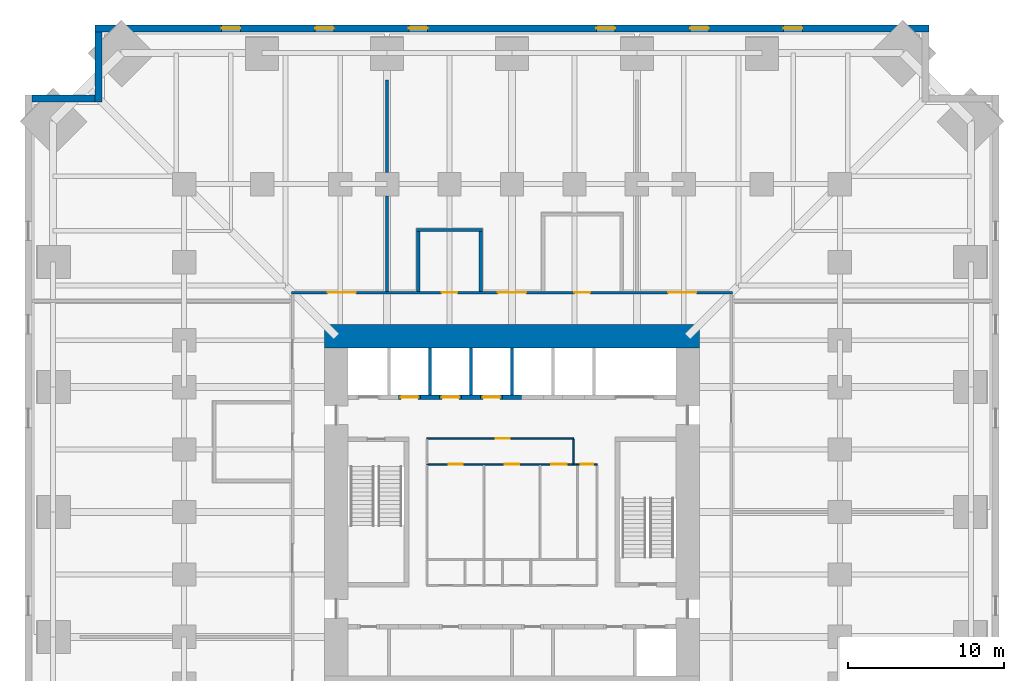
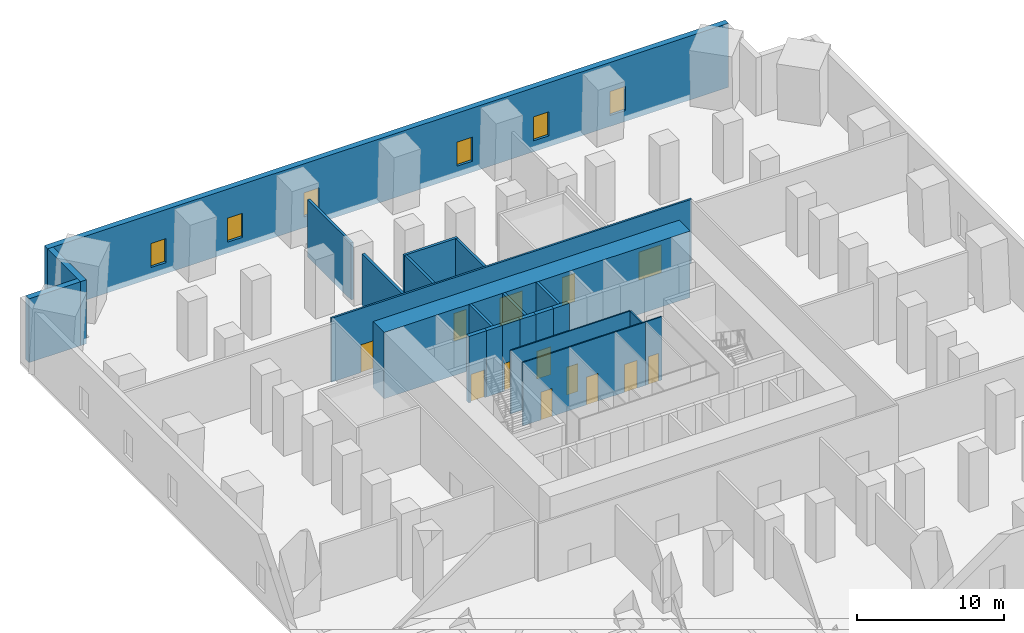
# One storey, part 6 of 8: 23 walls, 13 doors, 6 windows, 19 openings.
"""IFC4 building model written with IfcOpenShell, lengths in metres."""

from ifc_helpers import new_model, si_unit, direction, frame, frame_2d, origin, place, context, subcontext, project, spatial, rectangle, extrude, material, layer, layer_set, type_object, element, fill, save


model = new_model("IFC4")

# Units and contexts
model_context = context("Model", 3, precision=1e-05, world=origin(), true_north=direction((0.0, 1.0)))
body_context = subcontext(model_context, "Body", "Model", "MODEL_VIEW")
ifc_project = project(units=[si_unit("LENGTHUNIT", "METRE"), si_unit("AREAUNIT", "SQUARE_METRE"), si_unit("VOLUMEUNIT", "CUBIC_METRE"), si_unit("PLANEANGLEUNIT", "RADIAN"), si_unit("MASSUNIT", "GRAM", prefix="KILO")], contexts=[model_context])

# Site, building, storey
site_placement = place(None, origin())
site = spatial("IfcSite", under=ifc_project, at=site_placement, CompositionType="ELEMENT")
building_placement = place(site_placement, origin())
building = spatial("IfcBuilding", under=site, at=building_placement, Name="Peilmerk Tower", CompositionType="ELEMENT")
storey_placement = place(building_placement, frame((0.0, 0.0, 37.5)))
storey = spatial("IfcBuildingStorey", under=building, at=storey_placement, Name="L07", CompositionType="ELEMENT", Elevation=37.5)

# Wall, openings, windows
ifc_material_1 = material(Name="Precast concrete C45/55, board-marked finish", Category="concrete")
ifc_layer_1 = layer(ifc_material_1, 0.449951171875)
ifc_layer_set_1 = layer_set([ifc_layer_1], Name="Precast concrete C45/55, board-marked finish")
wall_type_1 = type_object("IfcWallType", Name="EW1 450 precast concrete facade wall, board-marked", PredefinedType="SOLIDWALL", material=ifc_layer_set_1)
wall_1_placement = place(storey_placement, frame((26.699951171875, 30.97509765625, 0.0), z_axis=(0.0, 0.0, 1.0), x_axis=(-1.0, 0.0, 0.0)))
wall_1 = element("IfcWall", 1, at=wall_1_placement, inside=storey, type_object=wall_type_1, Name="Facade wall N L07", PredefinedType="SOLIDWALL", context=body_context, shape_type="SweptSolid", body=[
    extrude(rectangle(XDim=53.39990234375, YDim=0.449951171875, at=frame_2d((26.699951171875, 0.0))), origin(), (0.0, 0.0, 1.0), 5.300048828125),
])
opening_1_placement = place(wall_1_placement, frame((8.10009765625, 0.0, 0.89990234375)))
opening_1 = element("IfcOpeningElement", 2, at=opening_1_placement, cuts=wall_1, Name="Opening W2", PredefinedType="OPENING", context=body_context, shape_type="SweptSolid", body=[
    extrude(rectangle(XDim=1.199951171875, YDim=2.0, at=frame_2d((0.60009765625, 1.0))), frame((0.0, 0.23486328125, 0.0), z_axis=(0.0, -1.0, 0.0), x_axis=(1.0, 0.0, 0.0)), (0.0, 0.0, 1.0), 0.469970703125),
])
opening_2_placement = place(wall_1_placement, frame((14.10009765625, 0.0, 0.89990234375)))
opening_2 = element("IfcOpeningElement", 3, at=opening_2_placement, cuts=wall_1, Name="Opening W2", PredefinedType="OPENING", context=body_context, shape_type="SweptSolid", body=[
    extrude(rectangle(XDim=1.199951171875, YDim=2.0, at=frame_2d((0.60009765625, 1.0))), frame((0.0, 0.23486328125, 0.0), z_axis=(0.0, -1.0, 0.0), x_axis=(1.0, 0.0, 0.0)), (0.0, 0.0, 1.0), 0.469970703125),
])
opening_3_placement = place(wall_1_placement, frame((20.10009765625, 0.0, 0.89990234375)))
opening_3 = element("IfcOpeningElement", 4, at=opening_3_placement, cuts=wall_1, Name="Opening W2", PredefinedType="OPENING", context=body_context, shape_type="SweptSolid", body=[
    extrude(rectangle(XDim=1.199951171875, YDim=2.0, at=frame_2d((0.60009765625, 1.0))), frame((0.0, 0.23486328125, 0.0), z_axis=(0.0, -1.0, 0.0), x_axis=(1.0, 0.0, 0.0)), (0.0, 0.0, 1.0), 0.469970703125),
])
opening_4_placement = place(wall_1_placement, frame((32.10009765625, 0.0, 0.89990234375)))
opening_4 = element("IfcOpeningElement", 5, at=opening_4_placement, cuts=wall_1, Name="Opening W2", PredefinedType="OPENING", context=body_context, shape_type="SweptSolid", body=[
    extrude(rectangle(XDim=1.199951171875, YDim=2.0, at=frame_2d((0.60009765625, 1.0))), frame((0.0, 0.23486328125, 0.0), z_axis=(0.0, -1.0, 0.0), x_axis=(1.0, 0.0, 0.0)), (0.0, 0.0, 1.0), 0.469970703125),
])
opening_5_placement = place(wall_1_placement, frame((38.10009765625, 0.0, 0.89990234375)))
opening_5 = element("IfcOpeningElement", 6, at=opening_5_placement, cuts=wall_1, Name="Opening W2", PredefinedType="OPENING", context=body_context, shape_type="SweptSolid", body=[
    extrude(rectangle(XDim=1.199951171875, YDim=2.0, at=frame_2d((0.60009765625, 1.0))), frame((0.0, 0.23486328125, 0.0), z_axis=(0.0, -1.0, 0.0), x_axis=(1.0, 0.0, 0.0)), (0.0, 0.0, 1.0), 0.469970703125),
])
opening_6_placement = place(wall_1_placement, frame((44.10009765625, 0.0, 0.89990234375)))
opening_6 = element("IfcOpeningElement", 7, at=opening_6_placement, cuts=wall_1, Name="Opening W2", PredefinedType="OPENING", context=body_context, shape_type="SweptSolid", body=[
    extrude(rectangle(XDim=1.199951171875, YDim=2.0, at=frame_2d((0.60009765625, 1.0))), frame((0.0, 0.23486328125, 0.0), z_axis=(0.0, -1.0, 0.0), x_axis=(1.0, 0.0, 0.0)), (0.0, 0.0, 1.0), 0.469970703125),
])
ifc_material_2 = material(Name="Aluminium frame, clear double glazing", Category="aluminium")
window_type = type_object("IfcWindowType", Name="W2 1200x2000 data hall slot window", PartitioningType="SINGLE_PANEL", PredefinedType="WINDOW", material=ifc_material_2)
window_1_placement = place(opening_1_placement, origin())
window_1 = element("IfcWindow", 8, at=window_1_placement, inside=storey, type_object=window_type, Name="Window W2 L07", OverallHeight=2.0, OverallWidth=1.199951171875, PartitioningType="SINGLE_PANEL", PredefinedType="WINDOW", context=body_context, shape_type="SweptSolid", body=[
    extrude(rectangle(XDim=1.199951171875, YDim=2.0, at=frame_2d((0.60009765625, 1.0))), frame((0.0, 0.030029296875, 0.0), z_axis=(0.0, -1.0, 0.0), x_axis=(1.0, 0.0, 0.0)), (0.0, 0.0, 1.0), 0.06005859375),
])
fill(opening_1, window_1)
window_2_placement = place(opening_2_placement, origin())
window_2 = element("IfcWindow", 9, at=window_2_placement, inside=storey, type_object=window_type, Name="Window W2 L07", OverallHeight=2.0, OverallWidth=1.199951171875, PartitioningType="SINGLE_PANEL", PredefinedType="WINDOW", context=body_context, shape_type="SweptSolid", body=[
    extrude(rectangle(XDim=1.199951171875, YDim=2.0, at=frame_2d((0.60009765625, 1.0))), frame((0.0, 0.030029296875, 0.0), z_axis=(0.0, -1.0, 0.0), x_axis=(1.0, 0.0, 0.0)), (0.0, 0.0, 1.0), 0.06005859375),
])
fill(opening_2, window_2)
window_3_placement = place(opening_3_placement, origin())
window_3 = element("IfcWindow", 10, at=window_3_placement, inside=storey, type_object=window_type, Name="Window W2 L07", OverallHeight=2.0, OverallWidth=1.199951171875, PartitioningType="SINGLE_PANEL", PredefinedType="WINDOW", context=body_context, shape_type="SweptSolid", body=[
    extrude(rectangle(XDim=1.199951171875, YDim=2.0, at=frame_2d((0.60009765625, 1.0))), frame((0.0, 0.030029296875, 0.0), z_axis=(0.0, -1.0, 0.0), x_axis=(1.0, 0.0, 0.0)), (0.0, 0.0, 1.0), 0.06005859375),
])
fill(opening_3, window_3)
window_4_placement = place(opening_4_placement, origin())
window_4 = element("IfcWindow", 11, at=window_4_placement, inside=storey, type_object=window_type, Name="Window W2 L07", OverallHeight=2.0, OverallWidth=1.199951171875, PartitioningType="SINGLE_PANEL", PredefinedType="WINDOW", context=body_context, shape_type="SweptSolid", body=[
    extrude(rectangle(XDim=1.199951171875, YDim=2.0, at=frame_2d((0.60009765625, 1.0))), frame((0.0, 0.030029296875, 0.0), z_axis=(0.0, -1.0, 0.0), x_axis=(1.0, 0.0, 0.0)), (0.0, 0.0, 1.0), 0.06005859375),
])
fill(opening_4, window_4)
window_5_placement = place(opening_5_placement, origin())
window_5 = element("IfcWindow", 12, at=window_5_placement, inside=storey, type_object=window_type, Name="Window W2 L07", OverallHeight=2.0, OverallWidth=1.199951171875, PartitioningType="SINGLE_PANEL", PredefinedType="WINDOW", context=body_context, shape_type="SweptSolid", body=[
    extrude(rectangle(XDim=1.199951171875, YDim=2.0, at=frame_2d((0.60009765625, 1.0))), frame((0.0, 0.030029296875, 0.0), z_axis=(0.0, -1.0, 0.0), x_axis=(1.0, 0.0, 0.0)), (0.0, 0.0, 1.0), 0.06005859375),
])
fill(opening_5, window_5)
window_6_placement = place(opening_6_placement, origin())
window_6 = element("IfcWindow", 13, at=window_6_placement, inside=storey, type_object=window_type, Name="Window W2 L07", OverallHeight=2.0, OverallWidth=1.199951171875, PartitioningType="SINGLE_PANEL", PredefinedType="WINDOW", context=body_context, shape_type="SweptSolid", body=[
    extrude(rectangle(XDim=1.199951171875, YDim=2.0, at=frame_2d((0.60009765625, 1.0))), frame((0.0, 0.030029296875, 0.0), z_axis=(0.0, -1.0, 0.0), x_axis=(1.0, 0.0, 0.0)), (0.0, 0.0, 1.0), 0.06005859375),
])
fill(opening_6, window_6)

# Walls
wall_2_placement = place(storey_placement, frame((-26.47509765625, 26.25, 0.0), z_axis=(0.0, 0.0, 1.0), x_axis=(0.0, 1.0, 0.0)))
element("IfcWall", 14, at=wall_2_placement, inside=storey, type_object=wall_type_1, Name="Facade wall NWA L07", PredefinedType="SOLIDWALL", context=body_context, shape_type="SweptSolid", body=[
    extrude(rectangle(XDim=4.5, YDim=0.449951171875, at=frame_2d((2.25, 0.0))), origin(), (0.0, 0.0, 1.0), 5.300048828125),
])
wall_3_placement = place(storey_placement, frame((-26.699951171875, 26.47509765625, 0.0), z_axis=(0.0, 0.0, 1.0), x_axis=(-1.0, 0.0, 0.0)))
element("IfcWall", 15, at=wall_3_placement, inside=storey, type_object=wall_type_1, Name="Facade wall NWB L07", PredefinedType="SOLIDWALL", context=body_context, shape_type="SweptSolid", body=[
    extrude(rectangle(XDim=4.050048828125, YDim=0.449951171875, at=frame_2d((2.02490234375, 0.0))), origin(), (0.0, 0.0, 1.0), 5.300048828125),
])

# Wall, openings, doors
ifc_material_3 = material(Name="Calcium silicate block", Category="masonry")
ifc_layer_2 = layer(ifc_material_3, 0.14990234375)
ifc_layer_set_2 = layer_set([ifc_layer_2], Name="Calcium silicate block")
wall_type_2 = type_object("IfcWallType", Name="IW1 150 corridor partition, EI 60", PredefinedType="PARTITIONING", material=ifc_layer_set_2)
wall_4_placement = place(storey_placement, frame((-14.125, 14.050048828125, 0.0), z_axis=(0.0, 0.0, 1.0), x_axis=(1.0, 0.0, 0.0)))
wall_4 = element("IfcWall", 16, at=wall_4_placement, inside=storey, type_object=wall_type_2, Name="Corridor wall N L07", PredefinedType="PARTITIONING", context=body_context, shape_type="SweptSolid", body=[
    extrude(rectangle(XDim=28.25, YDim=0.14990234375, at=frame_2d((14.125, 0.0))), origin(), (0.0, 0.0, 1.0), 5.300048828125),
])
opening_7_placement = place(wall_4_placement, frame((2.324951171875, 0.0, 0.0)))
opening_7 = element("IfcOpeningElement", 17, at=opening_7_placement, cuts=wall_4, Name="Opening D2", PredefinedType="OPENING", context=body_context, shape_type="SweptSolid", body=[
    extrude(rectangle(XDim=1.800048828125, YDim=2.300048828125, at=frame_2d((0.89990234375, 1.14990234375))), frame((0.0, 0.0849609375, 0.0), z_axis=(0.0, -1.0, 0.0), x_axis=(1.0, 0.0, 0.0)), (0.0, 0.0, 1.0), 0.169921875),
])
opening_8_placement = place(wall_4_placement, frame((13.22509765625, 0.0, 0.0)))
opening_8 = element("IfcOpeningElement", 18, at=opening_8_placement, cuts=wall_4, Name="Opening D2", PredefinedType="OPENING", context=body_context, shape_type="SweptSolid", body=[
    extrude(rectangle(XDim=1.800048828125, YDim=2.300048828125, at=frame_2d((0.89990234375, 1.14990234375))), frame((0.0, 0.0849609375, 0.0), z_axis=(0.0, -1.0, 0.0), x_axis=(1.0, 0.0, 0.0)), (0.0, 0.0, 1.0), 0.169921875),
])
opening_9_placement = place(wall_4_placement, frame((24.125, 0.0, 0.0)))
opening_9 = element("IfcOpeningElement", 19, at=opening_9_placement, cuts=wall_4, Name="Opening D2", PredefinedType="OPENING", context=body_context, shape_type="SweptSolid", body=[
    extrude(rectangle(XDim=1.800048828125, YDim=2.300048828125, at=frame_2d((0.89990234375, 1.14990234375))), frame((0.0, 0.0849609375, 0.0), z_axis=(0.0, -1.0, 0.0), x_axis=(1.0, 0.0, 0.0)), (0.0, 0.0, 1.0), 0.169921875),
])
opening_10_placement = place(wall_4_placement, frame((9.625, 0.0, 0.0)))
opening_10 = element("IfcOpeningElement", 20, at=opening_10_placement, cuts=wall_4, Name="Opening D1", PredefinedType="OPENING", context=body_context, shape_type="SweptSolid", body=[
    extrude(rectangle(XDim=1.0, YDim=2.300048828125, at=frame_2d((0.5, 1.14990234375))), frame((0.0, 0.0849609375, 0.0), z_axis=(0.0, -1.0, 0.0), x_axis=(1.0, 0.0, 0.0)), (0.0, 0.0, 1.0), 0.169921875),
])
opening_11_placement = place(wall_4_placement, frame((18.125, 0.0, 0.0)))
opening_11 = element("IfcOpeningElement", 21, at=opening_11_placement, cuts=wall_4, Name="Opening D1", PredefinedType="OPENING", context=body_context, shape_type="SweptSolid", body=[
    extrude(rectangle(XDim=1.0, YDim=2.300048828125, at=frame_2d((0.5, 1.14990234375))), frame((0.0, 0.0849609375, 0.0), z_axis=(0.0, -1.0, 0.0), x_axis=(1.0, 0.0, 0.0)), (0.0, 0.0, 1.0), 0.169921875),
])
ifc_material_4 = material(Name="Timber door in steel frame", Category="steel")
door_type_1 = type_object("IfcDoorType", Name="D1 1000x2300 room door, EI2 30", OperationType="SINGLE_SWING_LEFT", PredefinedType="DOOR", material=ifc_material_4)
door_1_placement = place(opening_10_placement, origin())
door_1 = element("IfcDoor", 22, at=door_1_placement, inside=storey, type_object=door_type_1, Name="Door Store L07", OperationType="SINGLE_SWING_LEFT", OverallHeight=2.300048828125, OverallWidth=1.0, PredefinedType="DOOR", context=body_context, shape_type="SweptSolid", body=[
    extrude(rectangle(XDim=1.0, YDim=2.300048828125, at=frame_2d((0.5, 1.14990234375))), frame((0.0, 0.02490234375, 0.0), z_axis=(0.0, -1.0, 0.0), x_axis=(1.0, 0.0, 0.0)), (0.0, 0.0, 1.0), 0.050048828125),
])
fill(opening_10, door_1)
door_2_placement = place(opening_11_placement, origin())
door_2 = element("IfcDoor", 23, at=door_2_placement, inside=storey, type_object=door_type_1, Name="Door Operations office L07", OperationType="SINGLE_SWING_LEFT", OverallHeight=2.300048828125, OverallWidth=1.0, PredefinedType="DOOR", context=body_context, shape_type="SweptSolid", body=[
    extrude(rectangle(XDim=1.0, YDim=2.300048828125, at=frame_2d((0.5, 1.14990234375))), frame((0.0, 0.02490234375, 0.0), z_axis=(0.0, -1.0, 0.0), x_axis=(1.0, 0.0, 0.0)), (0.0, 0.0, 1.0), 0.050048828125),
])
fill(opening_11, door_2)
ifc_material_5 = material(Name="Steel door in steel frame", Category="steel")
door_type_2 = type_object("IfcDoorType", Name="D2 1800x2300 double door, EI2 60", OperationType="DOUBLE_DOOR_DOUBLE_SWING", PredefinedType="DOOR", material=ifc_material_5)
door_3_placement = place(opening_7_placement, origin())
door_3 = element("IfcDoor", 24, at=door_3_placement, inside=storey, type_object=door_type_2, Name="Door Computer room A L07", OperationType="DOUBLE_DOOR_DOUBLE_SWING", OverallHeight=2.300048828125, OverallWidth=1.800048828125, PredefinedType="DOOR", context=body_context, shape_type="SweptSolid", body=[
    extrude(rectangle(XDim=1.800048828125, YDim=2.300048828125, at=frame_2d((0.89990234375, 1.14990234375))), frame((0.0, 0.02490234375, 0.0), z_axis=(0.0, -1.0, 0.0), x_axis=(1.0, 0.0, 0.0)), (0.0, 0.0, 1.0), 0.050048828125),
])
fill(opening_7, door_3)
door_4_placement = place(opening_8_placement, origin())
door_4 = element("IfcDoor", 25, at=door_4_placement, inside=storey, type_object=door_type_2, Name="Door Meet-me room A L07", OperationType="DOUBLE_DOOR_DOUBLE_SWING", OverallHeight=2.300048828125, OverallWidth=1.800048828125, PredefinedType="DOOR", context=body_context, shape_type="SweptSolid", body=[
    extrude(rectangle(XDim=1.800048828125, YDim=2.300048828125, at=frame_2d((0.89990234375, 1.14990234375))), frame((0.0, 0.02490234375, 0.0), z_axis=(0.0, -1.0, 0.0), x_axis=(1.0, 0.0, 0.0)), (0.0, 0.0, 1.0), 0.050048828125),
])
fill(opening_8, door_4)
door_5_placement = place(opening_9_placement, origin())
door_5 = element("IfcDoor", 26, at=door_5_placement, inside=storey, type_object=door_type_2, Name="Door Computer room B L07", OperationType="DOUBLE_DOOR_DOUBLE_SWING", OverallHeight=2.300048828125, OverallWidth=1.800048828125, PredefinedType="DOOR", context=body_context, shape_type="SweptSolid", body=[
    extrude(rectangle(XDim=1.800048828125, YDim=2.300048828125, at=frame_2d((0.89990234375, 1.14990234375))), frame((0.0, 0.02490234375, 0.0), z_axis=(0.0, -1.0, 0.0), x_axis=(1.0, 0.0, 0.0)), (0.0, 0.0, 1.0), 0.050048828125),
])
fill(opening_9, door_5)

# Walls
ifc_layer_3 = layer(ifc_material_3, 0.199951171875)
ifc_layer_set_3 = layer_set([ifc_layer_3], Name="Calcium silicate block")
wall_type_3 = type_object("IfcWallType", Name="IW2 200 room separating wall, EI 120", PredefinedType="PARTITIONING", material=ifc_layer_set_3)
wall_5_placement = place(storey_placement, frame((-8.0, 14.125, 0.0), z_axis=(0.0, 0.0, 1.0), x_axis=(0.0, 1.0, 0.0)))
element("IfcWall", 27, at=wall_5_placement, inside=storey, type_object=wall_type_3, Name="Room separating wall N1 L07", PredefinedType="PARTITIONING", context=body_context, shape_type="SweptSolid", body=[
    extrude(rectangle(XDim=6.125, YDim=0.199951171875, at=frame_2d((3.0625, 0.0))), origin(), (0.0, 0.0, 1.0), 4.73095703125),
])
wall_6_placement = place(storey_placement, frame((-8.0, 21.75, 0.0), z_axis=(0.0, 0.0, 1.0), x_axis=(0.0, 1.0, 0.0)))
element("IfcWall", 28, at=wall_6_placement, inside=storey, type_object=wall_type_3, Name="Room separating wall N1b L07", PredefinedType="PARTITIONING", context=body_context, shape_type="SweptSolid", body=[
    extrude(rectangle(XDim=5.927978515625, YDim=0.199951171875, at=frame_2d((2.9638671875, 0.0))), origin(), (0.0, 0.0, 1.0), 4.73095703125),
])
wall_7_placement = place(storey_placement, frame((-6.10009765625, 18.050048828125, 0.0), z_axis=(0.0, 0.0, 1.0), x_axis=(1.0, 0.0, 0.0)))
element("IfcWall", 29, at=wall_7_placement, inside=storey, type_object=wall_type_3, Name="Room separating wall Store L07", PredefinedType="PARTITIONING", context=body_context, shape_type="SweptSolid", body=[
    extrude(rectangle(XDim=4.2001953125, YDim=0.199951171875, at=frame_2d((2.10009765625, 0.0))), origin(), (0.0, 0.0, 1.0), 5.300048828125),
])
for number, where, z_axis, x_axis, name in (
    (30, (-6.0, 14.125, 0.0), (0.0, 0.0, 1.0), (0.0, 1.0, 0.0), "Room separating wall Store L07"),
    (31, (-2.0, 14.125, 0.0), (0.0, 0.0, 1.0), (0.0, 1.0, 0.0), "Room separating wall Store L07"),
):
    element("IfcWall", number, at=place(storey_placement, frame(where, z_axis=z_axis, x_axis=x_axis)), inside=storey, type_object=wall_type_3, Name=name, PredefinedType="PARTITIONING", context=body_context, shape_type="SweptSolid", body=[
        extrude(rectangle(XDim=3.824951171875, YDim=0.199951171875, at=frame_2d((1.91259765625, 0.0))), origin(), (0.0, 0.0, 1.0), 5.300048828125),
    ])

# Wall, openings, doors
ifc_material_6 = material(Name="Plasterboard on steel studs", Category="steel")
ifc_layer_4 = layer(ifc_material_6, 0.10009765625)
ifc_layer_set_4 = layer_set([ifc_layer_4], Name="Plasterboard on steel studs")
wall_type_4 = type_object("IfcWallType", Name="IW4 100 WC partition", PredefinedType="PARTITIONING", material=ifc_layer_set_4)
wall_8_placement = place(storey_placement, frame((-5.449951171875, 3.050048828125, 0.0), z_axis=(0.0, 0.0, 1.0), x_axis=(1.0, 0.0, 0.0)))
wall_8 = element("IfcWall", 32, at=wall_8_placement, inside=storey, type_object=wall_type_4, Name="WC wall L07", PredefinedType="PARTITIONING", context=body_context, shape_type="SweptSolid", body=[
    extrude(rectangle(XDim=9.599853515625, YDim=0.10009765625, at=frame_2d((4.7998046875, 0.0))), origin(), (0.0, 0.0, 1.0), 5.25),
])
opening_12_placement = place(wall_8_placement, frame((1.39990234375, 0.0, 0.0)))
opening_12 = element("IfcOpeningElement", 33, at=opening_12_placement, cuts=wall_8, Name="Opening D5", PredefinedType="OPENING", context=body_context, shape_type="SweptSolid", body=[
    extrude(rectangle(XDim=0.89990234375, YDim=2.300048828125, at=frame_2d((0.449951171875, 1.14990234375))), frame((0.0, 0.06005859375, 0.0), z_axis=(0.0, -1.0, 0.0), x_axis=(1.0, 0.0, 0.0)), (0.0, 0.0, 1.0), 0.1201171875),
])
opening_13_placement = place(wall_8_placement, frame((5.0, 0.0, 0.0)))
opening_13 = element("IfcOpeningElement", 34, at=opening_13_placement, cuts=wall_8, Name="Opening D5", PredefinedType="OPENING", context=body_context, shape_type="SweptSolid", body=[
    extrude(rectangle(XDim=0.89990234375, YDim=2.300048828125, at=frame_2d((0.449951171875, 1.14990234375))), frame((0.0, 0.06005859375, 0.0), z_axis=(0.0, -1.0, 0.0), x_axis=(1.0, 0.0, 0.0)), (0.0, 0.0, 1.0), 0.1201171875),
])
opening_14_placement = place(wall_8_placement, frame((7.949951171875, 0.0, 0.0)))
opening_14 = element("IfcOpeningElement", 35, at=opening_14_placement, cuts=wall_8, Name="Opening D6", PredefinedType="OPENING", context=body_context, shape_type="SweptSolid", body=[
    extrude(rectangle(XDim=1.0, YDim=2.300048828125, at=frame_2d((0.5, 1.14990234375))), frame((0.0, 0.06005859375, 0.0), z_axis=(0.0, -1.0, 0.0), x_axis=(1.0, 0.0, 0.0)), (0.0, 0.0, 1.0), 0.1201171875),
])
door_type_3 = type_object("IfcDoorType", Name="D5 900x2300 WC door", OperationType="SINGLE_SWING_LEFT", PredefinedType="DOOR", material=ifc_material_4)
door_6_placement = place(opening_12_placement, frame((0.89990234375, 0.0, 0.0), z_axis=(0.0, 0.0, 1.0), x_axis=(-1.0, 0.0, 0.0)))
door_6 = element("IfcDoor", 36, at=door_6_placement, inside=storey, type_object=door_type_3, Name="Male toilets door L07", OperationType="SINGLE_SWING_LEFT", OverallHeight=2.300048828125, OverallWidth=0.89990234375, PredefinedType="DOOR", context=body_context, shape_type="SweptSolid", body=[
    extrude(rectangle(XDim=0.89990234375, YDim=2.300048828125, at=frame_2d((0.449951171875, 1.14990234375))), frame((0.0, 0.02490234375, 0.0), z_axis=(0.0, -1.0, 0.0), x_axis=(1.0, 0.0, 0.0)), (0.0, 0.0, 1.0), 0.050048828125),
])
fill(opening_12, door_6)
door_7_placement = place(opening_13_placement, frame((0.89990234375, 0.0, 0.0), z_axis=(0.0, 0.0, 1.0), x_axis=(-1.0, 0.0, 0.0)))
door_7 = element("IfcDoor", 37, at=door_7_placement, inside=storey, type_object=door_type_3, Name="Female toilets door L07", OperationType="SINGLE_SWING_LEFT", OverallHeight=2.300048828125, OverallWidth=0.89990234375, PredefinedType="DOOR", context=body_context, shape_type="SweptSolid", body=[
    extrude(rectangle(XDim=0.89990234375, YDim=2.300048828125, at=frame_2d((0.449951171875, 1.14990234375))), frame((0.0, 0.02490234375, 0.0), z_axis=(0.0, -1.0, 0.0), x_axis=(1.0, 0.0, 0.0)), (0.0, 0.0, 1.0), 0.050048828125),
])
fill(opening_13, door_7)
door_type_4 = type_object("IfcDoorType", Name="D6 1000x2300 accessible WC door", OperationType="SLIDING_TO_LEFT", PredefinedType="DOOR", material=ifc_material_4)
door_8_placement = place(opening_14_placement, frame((1.0, 0.0, 0.0), z_axis=(0.0, 0.0, 1.0), x_axis=(-1.0, 0.0, 0.0)))
door_8 = element("IfcDoor", 38, at=door_8_placement, inside=storey, type_object=door_type_4, Name="Accessible WC door L07", OperationType="SLIDING_TO_LEFT", OverallHeight=2.300048828125, OverallWidth=1.0, PredefinedType="DOOR", context=body_context, shape_type="SweptSolid", body=[
    extrude(rectangle(XDim=1.0, YDim=2.300048828125, at=frame_2d((0.5, 1.14990234375))), frame((0.0, 0.02490234375, 0.0), z_axis=(0.0, -1.0, 0.0), x_axis=(1.0, 0.0, 0.0)), (0.0, 0.0, 1.0), 0.050048828125),
])
fill(opening_14, door_8)

# Wall, opening, door
ifc_material_7 = material(Name="Calcium silicate board on steel studs", Category="steel")
ifc_layer_5 = layer(ifc_material_7, 0.10009765625)
ifc_layer_set_5 = layer_set([ifc_layer_5], Name="Calcium silicate board on steel studs")
wall_type_5 = type_object("IfcWallType", Name="IW5 100 riser enclosure wall, EI 60", PredefinedType="PARTITIONING", material=ifc_layer_set_5)
wall_9_placement = place(storey_placement, frame((4.14990234375, 3.050048828125, 0.0), z_axis=(0.0, 0.0, 1.0), x_axis=(1.0, 0.0, 0.0)))
wall_9 = element("IfcWall", 39, at=wall_9_placement, inside=storey, type_object=wall_type_5, Name="Riser wall L07", PredefinedType="PARTITIONING", context=body_context, shape_type="SweptSolid", body=[
    extrude(rectangle(XDim=1.300048828125, YDim=0.10009765625, at=frame_2d((0.64990234375, 0.0))), origin(), (0.0, 0.0, 1.0), 5.25),
])
opening_15_placement = place(wall_9_placement, frame((0.25, 0.0, 0.0)))
opening_15 = element("IfcOpeningElement", 40, at=opening_15_placement, cuts=wall_9, Name="Opening D7", PredefinedType="OPENING", context=body_context, shape_type="SweptSolid", body=[
    extrude(rectangle(XDim=0.800048828125, YDim=2.300048828125, at=frame_2d((0.39990234375, 1.14990234375))), frame((0.0, 0.06005859375, 0.0), z_axis=(0.0, -1.0, 0.0), x_axis=(1.0, 0.0, 0.0)), (0.0, 0.0, 1.0), 0.1201171875),
])
door_type_5 = type_object("IfcDoorType", Name="D7 800x2300 riser access door, EI2 60", OperationType="SINGLE_SWING_RIGHT", PredefinedType="DOOR", material=ifc_material_5)
door_9_placement = place(opening_15_placement, frame((0.800048828125, 0.0, 0.0), z_axis=(0.0, 0.0, 1.0), x_axis=(-1.0, 0.0, 0.0)))
door_9 = element("IfcDoor", 41, at=door_9_placement, inside=storey, type_object=door_type_5, Name="Plumbing riser door L07", OperationType="SINGLE_SWING_RIGHT", OverallHeight=2.300048828125, OverallWidth=0.800048828125, PredefinedType="DOOR", context=body_context, shape_type="SweptSolid", body=[
    extrude(rectangle(XDim=0.800048828125, YDim=2.300048828125, at=frame_2d((0.39990234375, 1.14990234375))), frame((0.0, 0.02490234375, 0.0), z_axis=(0.0, -1.0, 0.0), x_axis=(1.0, 0.0, 0.0)), (0.0, 0.0, 1.0), 0.050048828125),
])
fill(opening_15, door_9)

ifc_material_8 = material(Name="Fire-resisting plasterboard on steel studs", Category="steel")
ifc_layer_6 = layer(ifc_material_8, 0.10009765625)
ifc_layer_set_6 = layer_set([ifc_layer_6], Name="Fire-resisting plasterboard on steel studs")
wall_type_6 = type_object("IfcWallType", Name="IW9 100 WC lobby wall, EI 30", PredefinedType="PARTITIONING", material=ifc_layer_set_6)
wall_10_placement = place(storey_placement, frame((-5.449951171875, 4.699951171875, 0.0), z_axis=(0.0, 0.0, 1.0), x_axis=(1.0, 0.0, 0.0)))
wall_10 = element("IfcWall", 42, at=wall_10_placement, inside=storey, type_object=wall_type_6, Name="WC lobby wall L07", PredefinedType="PARTITIONING", context=body_context, shape_type="SweptSolid", body=[
    extrude(rectangle(XDim=9.39990234375, YDim=0.10009765625, at=frame_2d((4.699951171875, 0.0))), origin(), (0.0, 0.0, 1.0), 5.25),
])
opening_16_placement = place(wall_10_placement, frame((4.39990234375, 0.0, 0.0)))
opening_16 = element("IfcOpeningElement", 43, at=opening_16_placement, cuts=wall_10, Name="Opening D11", PredefinedType="OPENING", context=body_context, shape_type="SweptSolid", body=[
    extrude(rectangle(XDim=0.89990234375, YDim=2.300048828125, at=frame_2d((0.449951171875, 1.14990234375))), frame((0.0, 0.06005859375, 0.0), z_axis=(0.0, -1.0, 0.0), x_axis=(1.0, 0.0, 0.0)), (0.0, 0.0, 1.0), 0.1201171875),
])
door_type_6 = type_object("IfcDoorType", Name="D11 900x2300 WC lobby door, EI2 30", OperationType="SINGLE_SWING_LEFT", PredefinedType="DOOR", material=ifc_material_4)
door_10_placement = place(opening_16_placement, frame((0.89990234375, 0.0, 0.0), z_axis=(0.0, 0.0, 1.0), x_axis=(-1.0, 0.0, 0.0)))
door_10 = element("IfcDoor", 44, at=door_10_placement, inside=storey, type_object=door_type_6, Name="WC lobby door L07", OperationType="SINGLE_SWING_LEFT", OverallHeight=2.300048828125, OverallWidth=0.89990234375, PredefinedType="DOOR", context=body_context, shape_type="SweptSolid", body=[
    extrude(rectangle(XDim=0.89990234375, YDim=2.300048828125, at=frame_2d((0.449951171875, 1.14990234375))), frame((0.0, 0.02490234375, 0.0), z_axis=(0.0, -1.0, 0.0), x_axis=(1.0, 0.0, 0.0)), (0.0, 0.0, 1.0), 0.050048828125),
])
fill(opening_16, door_10)

# Walls
wall_11_placement = place(storey_placement, frame((3.949951171875, 3.10009765625, 0.0), z_axis=(0.0, 0.0, 1.0), x_axis=(0.0, 1.0, 0.0)))
element("IfcWall", 45, at=wall_11_placement, inside=storey, type_object=wall_type_6, Name="WC lobby wall L07", PredefinedType="PARTITIONING", context=body_context, shape_type="SweptSolid", body=[
    extrude(rectangle(XDim=1.5498046875, YDim=0.10009765625, at=frame_2d((0.77490234375, 0.0))), origin(), (0.0, 0.0, 1.0), 5.25),
])
ifc_layer_7 = layer(ifc_material_3, 0.199951171875)
ifc_layer_set_7 = layer_set([ifc_layer_7], Name="Calcium silicate block")
wall_type_7 = type_object("IfcWallType", Name="SH1 200 shaft dividing wall, EI 120", PredefinedType="PARTITIONING", material=ifc_layer_set_7)
for number, where, z_axis, x_axis, name in (
    (46, (-5.25, 7.5, 0.0), (0.0, 0.0, 1.0), (0.0, 1.0, 0.0), "Shaft wall N A1 L07"),
    (47, (-2.625, 7.5, 0.0), (0.0, 0.0, 1.0), (0.0, 1.0, 0.0), "Shaft wall N A2 L07"),
    (48, (0.0, 7.5, 0.0), (0.0, 0.0, 1.0), (0.0, 1.0, 0.0), "Shaft wall N A3 L07"),
):
    element("IfcWall", number, at=place(storey_placement, frame(where, z_axis=z_axis, x_axis=x_axis)), inside=storey, type_object=wall_type_7, Name=name, PredefinedType="PARTITIONING", context=body_context, shape_type="SweptSolid", body=[
        extrude(rectangle(XDim=3.0, YDim=0.199951171875, at=frame_2d((1.5, 0.0))), origin(), (0.0, 0.0, 1.0), 5.5),
    ])

# Wall, opening, door
ifc_layer_8 = layer(ifc_material_3, 0.300048828125)
ifc_layer_set_8 = layer_set([ifc_layer_8], Name="Calcium silicate block")
wall_type_8 = type_object("IfcWallType", Name="SH2 300 lift landing door panel, EI 120", PredefinedType="PARTITIONING", material=ifc_layer_set_8)
wall_12_placement = place(storey_placement, frame((-7.262451171875, 7.35009765625, 0.0), z_axis=(0.0, 0.0, 1.0), x_axis=(1.0, 0.0, 0.0)))
wall_12 = element("IfcWall", 49, at=wall_12_placement, inside=storey, type_object=wall_type_8, Name="Lift door panel N A1 L07", PredefinedType="PARTITIONING", context=body_context, shape_type="SweptSolid", body=[
    extrude(rectangle(XDim=1.39990234375, YDim=0.300048828125, at=frame_2d((0.699951171875, 0.0))), origin(), (0.0, 0.0, 1.0), 5.5),
])
opening_17_placement = place(wall_12_placement, frame((0.14990234375, 0.0, 0.0)))
opening_17 = element("IfcOpeningElement", 50, at=opening_17_placement, cuts=wall_12, Name="Opening LD1", PredefinedType="OPENING", context=body_context, shape_type="SweptSolid", body=[
    extrude(rectangle(XDim=1.10009765625, YDim=2.300048828125, at=frame_2d((0.550048828125, 1.14990234375))), frame((0.0, 0.159912109375, 0.0), z_axis=(0.0, -1.0, 0.0), x_axis=(1.0, 0.0, 0.0)), (0.0, 0.0, 1.0), 0.320068359375),
])
ifc_material_9 = material(Name="Stainless steel landing door", Category="steel")
door_type_7 = type_object("IfcDoorType", Name="LD1 1100x2300 lift landing door, sliding, EI2 60", OperationType="SLIDING_TO_LEFT", PredefinedType="DOOR", material=ifc_material_9)
door_11_placement = place(opening_17_placement, frame((1.10009765625, 0.0, 0.0), z_axis=(0.0, 0.0, 1.0), x_axis=(-1.0, 0.0, 0.0)))
door_11 = element("IfcDoor", 51, at=door_11_placement, inside=storey, type_object=door_type_7, Name="Lift landing door A1 L07", OperationType="SLIDING_TO_LEFT", OverallHeight=2.300048828125, OverallWidth=1.10009765625, PredefinedType="DOOR", context=body_context, shape_type="SweptSolid", body=[
    extrude(rectangle(XDim=1.10009765625, YDim=2.300048828125, at=frame_2d((0.550048828125, 1.14990234375))), frame((0.0, 0.02490234375, 0.0), z_axis=(0.0, -1.0, 0.0), x_axis=(1.0, 0.0, 0.0)), (0.0, 0.0, 1.0), 0.050048828125),
])
fill(opening_17, door_11)

wall_13_placement = place(storey_placement, frame((-4.637451171875, 7.35009765625, 0.0), z_axis=(0.0, 0.0, 1.0), x_axis=(1.0, 0.0, 0.0)))
wall_13 = element("IfcWall", 52, at=wall_13_placement, inside=storey, type_object=wall_type_8, Name="Lift door panel N A2 L07", PredefinedType="PARTITIONING", context=body_context, shape_type="SweptSolid", body=[
    extrude(rectangle(XDim=1.39990234375, YDim=0.300048828125, at=frame_2d((0.699951171875, 0.0))), origin(), (0.0, 0.0, 1.0), 5.5),
])
opening_18_placement = place(wall_13_placement, frame((0.14990234375, 0.0, 0.0)))
opening_18 = element("IfcOpeningElement", 53, at=opening_18_placement, cuts=wall_13, Name="Opening LD1", PredefinedType="OPENING", context=body_context, shape_type="SweptSolid", body=[
    extrude(rectangle(XDim=1.10009765625, YDim=2.300048828125, at=frame_2d((0.550048828125, 1.14990234375))), frame((0.0, 0.159912109375, 0.0), z_axis=(0.0, -1.0, 0.0), x_axis=(1.0, 0.0, 0.0)), (0.0, 0.0, 1.0), 0.320068359375),
])
door_12_placement = place(opening_18_placement, frame((1.10009765625, 0.0, 0.0), z_axis=(0.0, 0.0, 1.0), x_axis=(-1.0, 0.0, 0.0)))
door_12 = element("IfcDoor", 54, at=door_12_placement, inside=storey, type_object=door_type_7, Name="Lift landing door A2 L07", OperationType="SLIDING_TO_LEFT", OverallHeight=2.300048828125, OverallWidth=1.10009765625, PredefinedType="DOOR", context=body_context, shape_type="SweptSolid", body=[
    extrude(rectangle(XDim=1.10009765625, YDim=2.300048828125, at=frame_2d((0.550048828125, 1.14990234375))), frame((0.0, 0.02490234375, 0.0), z_axis=(0.0, -1.0, 0.0), x_axis=(1.0, 0.0, 0.0)), (0.0, 0.0, 1.0), 0.050048828125),
])
fill(opening_18, door_12)

wall_14_placement = place(storey_placement, frame((-2.012451171875, 7.35009765625, 0.0), z_axis=(0.0, 0.0, 1.0), x_axis=(1.0, 0.0, 0.0)))
wall_14 = element("IfcWall", 55, at=wall_14_placement, inside=storey, type_object=wall_type_8, Name="Lift door panel N A3 L07", PredefinedType="PARTITIONING", context=body_context, shape_type="SweptSolid", body=[
    extrude(rectangle(XDim=1.39990234375, YDim=0.300048828125, at=frame_2d((0.699951171875, 0.0))), origin(), (0.0, 0.0, 1.0), 5.5),
])
opening_19_placement = place(wall_14_placement, frame((0.14990234375, 0.0, 0.0)))
opening_19 = element("IfcOpeningElement", 56, at=opening_19_placement, cuts=wall_14, Name="Opening LD1", PredefinedType="OPENING", context=body_context, shape_type="SweptSolid", body=[
    extrude(rectangle(XDim=1.10009765625, YDim=2.300048828125, at=frame_2d((0.550048828125, 1.14990234375))), frame((0.0, 0.159912109375, 0.0), z_axis=(0.0, -1.0, 0.0), x_axis=(1.0, 0.0, 0.0)), (0.0, 0.0, 1.0), 0.320068359375),
])
door_13_placement = place(opening_19_placement, frame((1.10009765625, 0.0, 0.0), z_axis=(0.0, 0.0, 1.0), x_axis=(-1.0, 0.0, 0.0)))
door_13 = element("IfcDoor", 57, at=door_13_placement, inside=storey, type_object=door_type_7, Name="Lift landing door A3 L07", OperationType="SLIDING_TO_LEFT", OverallHeight=2.300048828125, OverallWidth=1.10009765625, PredefinedType="DOOR", context=body_context, shape_type="SweptSolid", body=[
    extrude(rectangle(XDim=1.10009765625, YDim=2.300048828125, at=frame_2d((0.550048828125, 1.14990234375))), frame((0.0, 0.02490234375, 0.0), z_axis=(0.0, -1.0, 0.0), x_axis=(1.0, 0.0, 0.0)), (0.0, 0.0, 1.0), 0.050048828125),
])
fill(opening_19, door_13)

# Walls
ifc_material_10 = material(Name="Concrete C55/67", Category="concrete")
ifc_layer_9 = layer(ifc_material_10, 1.5)
ifc_layer_set_9 = layer_set([ifc_layer_9], Name="Concrete C55/67")
wall_type_9 = type_object("IfcWallType", Name="SW1 1500 core wall", PredefinedType="SHEAR", material=ifc_layer_set_9)
wall_15_placement = place(storey_placement, frame((-12.0, 11.25, 0.0), z_axis=(0.0, 0.0, 1.0), x_axis=(1.0, 0.0, 0.0)))
element("IfcWall", 58, at=wall_15_placement, inside=storey, type_object=wall_type_9, Name="Core wall N L07", PredefinedType="SHEAR", context=body_context, shape_type="SweptSolid", body=[
    extrude(rectangle(XDim=24.0, YDim=1.5, at=frame_2d((12.0, 0.0))), origin(), (0.0, 0.0, 1.0), 5.5),
])
ifc_layer_10 = layer(ifc_material_10, 0.300048828125)
ifc_layer_set_10 = layer_set([ifc_layer_10], Name="Concrete C55/67")
wall_type_10 = type_object("IfcWallType", Name="SW2 300 lift bank pier", PredefinedType="SHEAR", material=ifc_layer_set_10)
for number, where, z_axis, x_axis, name in (
    (59, (-5.862548828125, 7.35009765625, 0.0), (0.0, 0.0, 1.0), (1.0, 0.0, 0.0), "Lift bank pier N L07"),
    (60, (-3.237548828125, 7.35009765625, 0.0), (0.0, 0.0, 1.0), (1.0, 0.0, 0.0), "Lift bank pier N L07"),
    (61, (-0.612548828125, 7.35009765625, 0.0), (0.0, 0.0, 1.0), (1.0, 0.0, 0.0), "Lift bank pier N L07"),
):
    element("IfcWall", number, at=place(storey_placement, frame(where, z_axis=z_axis, x_axis=x_axis)), inside=storey, type_object=wall_type_10, Name=name, PredefinedType="SHEAR", context=body_context, shape_type="SweptSolid", body=[
        extrude(rectangle(XDim=1.22509765625, YDim=0.300048828125, at=frame_2d((0.612548828125, 0.0))), origin(), (0.0, 0.0, 1.0), 5.5),
    ])

save(model, "model.ifc")
